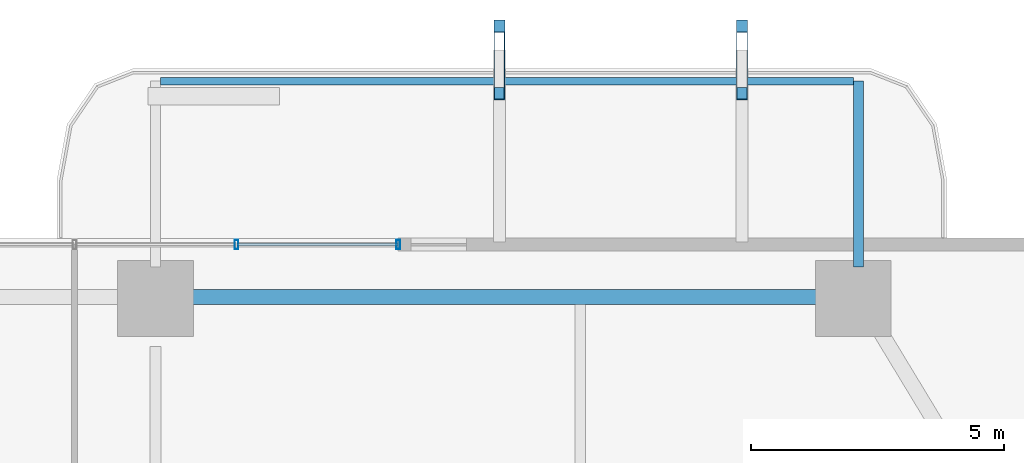
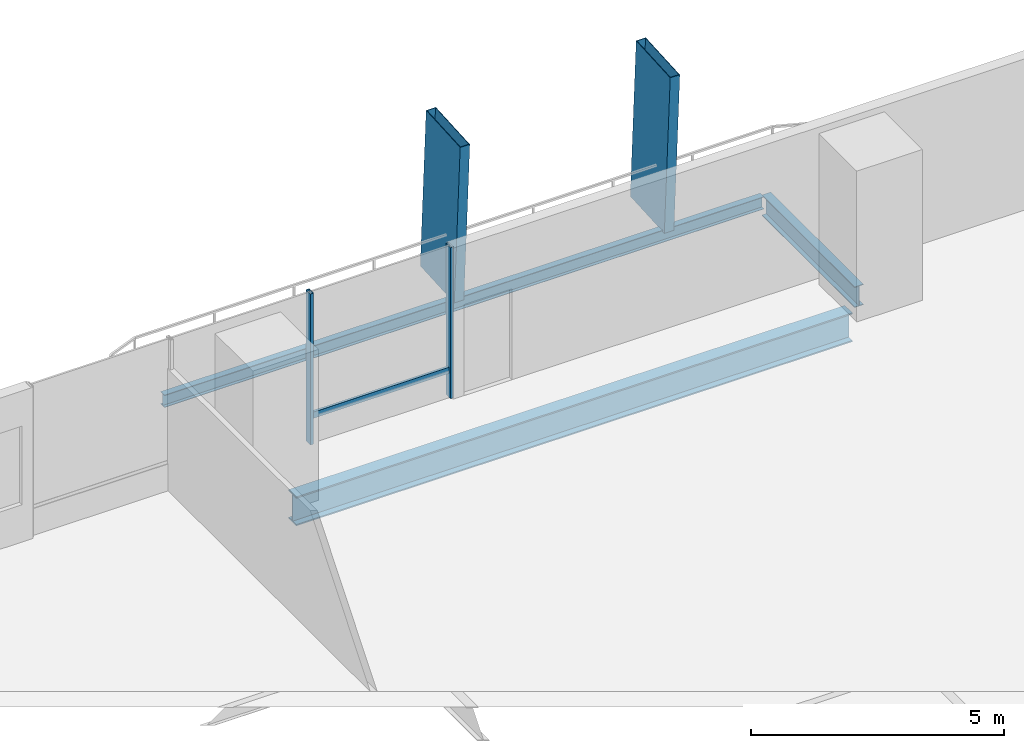
# One storey, part 21 of 30: 5 members, 3 beams, 1 element without a shape of its own.
"""IFC4 building model written with IfcOpenShell, lengths in metres."""

from ifc_helpers import new_model, si_unit, direction, frame, origin, origin_2d, place, context, subcontext, project, spatial, hollow_rectangle, i_section, extrude, material, layer, layer_set, material_profile, profile_set, type_object, element, aggregate, save


model = new_model("IFC4")

# Units and contexts
model_context = context("Model", 3, precision=1e-05, world=origin(), true_north=direction((0.0, 1.0)))
body_context = subcontext(model_context, "Body", "Model", "MODEL_VIEW")
ifc_project = project(units=[si_unit("LENGTHUNIT", "METRE"), si_unit("AREAUNIT", "SQUARE_METRE"), si_unit("VOLUMEUNIT", "CUBIC_METRE"), si_unit("PLANEANGLEUNIT", "RADIAN"), si_unit("MASSUNIT", "GRAM", prefix="KILO")], contexts=[model_context])

# Site, building, storey
site_placement = place(None, origin())
site = spatial("IfcSite", under=ifc_project, at=site_placement, CompositionType="ELEMENT")
building_placement = place(site_placement, origin())
building = spatial("IfcBuilding", under=site, at=building_placement, Name="Belovzor Exchange Tower", CompositionType="ELEMENT")
storey_placement = place(building_placement, frame((0.0, 0.0, 30.0)))
storey = spatial("IfcBuildingStorey", under=building, at=storey_placement, Name="L06", CompositionType="ELEMENT", Elevation=30.0)

# Members
ifc_material_1 = material(Name="Extruded Architectural Terracotta on Steel S355 Carrier", Category="masonry")
ifc_material_profile_1 = material_profile(ifc_material_1, hollow_rectangle(XDim=0.219970703125, YDim=1.35009765625, WallThickness=0.013916015625, at=origin_2d()))
ifc_profile_set_1 = profile_set([ifc_material_profile_1], Name="Extruded Architectural Terracotta on Steel S355 Carrier")
member_type_1 = type_object("IfcMemberType", Name="Base Arc Sweeping Terracotta Pylon Fin 1450", PredefinedType="USERDEFINED", material=ifc_profile_set_1)
for number, where, z_axis, x_axis, name in (
    (1, (35.60009765625, 60.3369140625, -0.25), (0.0, -0.059615826389, 0.998221394904), (1.0, 0.0, 0.0), "FIN-TC145 Terracotta Facade Fin L06 N3"),
    (2, (40.39990234375, 60.3369140625, -0.25), (0.0, -0.059615826389, 0.998221394904), (1.0, 0.0, 0.0), "FIN-TC145 Terracotta Facade Fin L06 N4"),
):
    element("IfcMember", number, at=place(storey_placement, frame(where, z_axis=z_axis, x_axis=x_axis)), inside=storey, type_object=member_type_1, Name=name, ObjectType="FIN", PredefinedType="USERDEFINED", context=body_context, shape_type="SweptSolid", body=[
        extrude(hollow_rectangle(XDim=0.219970703125, YDim=1.35009765625, WallThickness=0.013916015625, at=origin_2d()), origin(), (0.0, 0.0, 1.0), 3.90673828125),
    ])

# Beams
ifc_material_2 = material(Name="Steel S355", Category="steel")
ifc_material_profile_2 = material_profile(ifc_material_2, i_section(OverallWidth=0.199951171875, OverallDepth=0.5, WebThickness=0.01025390625, FlangeThickness=0.01611328125, at=origin_2d()))
ifc_profile_set_2 = profile_set([ifc_material_profile_2], Name="Steel S355")
beam_type_1 = type_object("IfcBeamType", Name="Planted Balcony Cantilever Beam IPE 500", PredefinedType="BEAM", material=ifc_profile_set_2)
beam_1_placement = place(storey_placement, frame((42.699951171875, 56.1298828125, -0.5), z_axis=(0.0, 1.0, 0.0), x_axis=(-1.0, 0.0, 0.0)))
element("IfcBeam", 3, at=beam_1_placement, inside=storey, type_object=beam_type_1, Name="BC-500 Planted Balcony Cantilever Beam IPE 500", PredefinedType="BEAM", context=body_context, shape_type="SweptSolid", body=[
    extrude(i_section(OverallWidth=0.199951171875, OverallDepth=0.5, WebThickness=0.01025390625, FlangeThickness=0.01611328125, at=origin_2d()), origin(), (0.0, 0.0, 1.0), 3.670166015625),
])
ifc_material_3 = material(Name="Steel S355", Category="steel")
ifc_material_profile_3 = material_profile(ifc_material_3, i_section(OverallWidth=0.14990234375, OverallDepth=0.300048828125, WebThickness=0.007080078125, FlangeThickness=0.0107421875, at=origin_2d()))
ifc_profile_set_3 = profile_set([ifc_material_profile_3], Name="Steel S355")
beam_type_2 = type_object("IfcBeamType", Name="Planted Balcony Fascia Edge Beam IPE 300", PredefinedType="BEAM", material=ifc_profile_set_3)
beam_2_placement = place(storey_placement, frame((42.60009765625, 59.800048828125, -0.39990234375), z_axis=(-1.0, 0.0, 0.0), x_axis=(0.0, -1.0, 0.0)))
element("IfcBeam", 4, at=beam_2_placement, inside=storey, type_object=beam_type_2, Name="BC-300 Planted Balcony Fascia Edge Beam IPE 300", PredefinedType="BEAM", context=body_context, shape_type="SweptSolid", body=[
    extrude(i_section(OverallWidth=0.14990234375, OverallDepth=0.300048828125, WebThickness=0.007080078125, FlangeThickness=0.0107421875, at=origin_2d()), origin(), (0.0, 0.0, 1.0), 13.7001953125),
])

# Curtain wall, members
ifc_material_4 = material(Name="Anodised Aluminium Framing", Category="aluminium")
ifc_layer = layer(ifc_material_4, 0.179931640625)
ifc_layer_set = layer_set([ifc_layer], Name="Anodised Aluminium Framing")
curtain_wall_type = type_object("IfcCurtainWallType", Name="Recessed Loggia Low-Iron Triple-Glazed Curtain Wall", PredefinedType="NOTDEFINED", material=ifc_layer_set)
curtain_wall_placement = place(storey_placement, origin())
curtain_wall = element("IfcCurtainWall", 5, at=curtain_wall_placement, inside=storey, type_object=curtain_wall_type, Name="CW3 Recessed Loggia Low-Iron Triple-Glazed Curtain Wall L06", PredefinedType="NOTDEFINED")
ifc_material_5 = material(Name="Steel S355", Category="steel")
ifc_material_profile_4 = material_profile(ifc_material_5, hollow_rectangle(XDim=0.074951171875, YDim=0.179931640625, WallThickness=0.0048828125, at=origin_2d()))
ifc_profile_set_4 = profile_set([ifc_material_profile_4], Name="Steel S355")
member_type_2 = type_object("IfcMemberType", Name="Thermally Broken Curtain Wall Mullion 180x75", PredefinedType="MULLION", material=ifc_profile_set_4)
member_1_placement = place(storey_placement, frame((30.39990234375, 56.570068359375, 0.0), z_axis=(0.0, 0.0, 1.0), x_axis=(1.0, 0.0, 0.0)))
member_1 = element("IfcMember", 6, at=member_1_placement, type_object=member_type_2, Name="CW-M180 Curtain Wall Mullion 3", PredefinedType="MULLION", context=body_context, shape_type="SweptSolid", body=[
    extrude(hollow_rectangle(XDim=0.074951171875, YDim=0.179931640625, WallThickness=0.0048828125, at=origin_2d()), origin(), (0.0, 0.0, 1.0), 3.64990234375),
])
member_2_placement = place(storey_placement, frame((33.60009765625, 56.570068359375, 0.0), z_axis=(0.0, 0.0, 1.0), x_axis=(1.0, 0.0, 0.0)))
member_2 = element("IfcMember", 7, at=member_2_placement, type_object=member_type_2, Name="CW-M180 Curtain Wall Mullion 4", PredefinedType="MULLION", context=body_context, shape_type="SweptSolid", body=[
    extrude(hollow_rectangle(XDim=0.074951171875, YDim=0.179931640625, WallThickness=0.0048828125, at=origin_2d()), origin(), (0.0, 0.0, 1.0), 3.64990234375),
])
ifc_material_6 = material(Name="Steel S355", Category="steel")
ifc_material_profile_5 = material_profile(ifc_material_6, hollow_rectangle(XDim=0.06005859375, YDim=0.14990234375, WallThickness=0.00390625, at=origin_2d()))
ifc_profile_set_5 = profile_set([ifc_material_profile_5], Name="Steel S355")
member_type_3 = type_object("IfcMemberType", Name="Thermally Broken Curtain Wall Transom 150x60", PredefinedType="USERDEFINED", material=ifc_profile_set_5)
member_3_placement = place(storey_placement, frame((30.407958984375, 56.570068359375, 0.64990234375), z_axis=(1.0, 0.0, 0.0), x_axis=(0.0, 1.0, 0.0)))
member_3 = element("IfcMember", 8, at=member_3_placement, type_object=member_type_3, Name="CW-T150 Curtain Wall Transom 3", ObjectType="TRANSOM", PredefinedType="USERDEFINED", context=body_context, shape_type="SweptSolid", body=[
    extrude(hollow_rectangle(XDim=0.06005859375, YDim=0.14990234375, WallThickness=0.00390625, at=origin_2d()), origin(), (0.0, 0.0, 1.0), 3.18408203125),
])
aggregate(curtain_wall, [member_1, member_2, member_3])

# Beam
ifc_material_7 = material(Name="Steel S355", Category="steel")
ifc_material_profile_6 = material_profile(ifc_material_7, i_section(OverallWidth=0.300048828125, OverallDepth=0.699951171875, WebThickness=0.01708984375, FlangeThickness=0.031982421875, at=origin_2d()))
ifc_profile_set_6 = profile_set([ifc_material_profile_6], Name="Steel S355")
beam_type_3 = type_object("IfcBeamType", Name="Zone 1 Primary Perimeter Girder HEB 700", PredefinedType="BEAM", material=ifc_profile_set_6)
beam_3_placement = place(storey_placement, frame((42.114990234375, 55.530029296875, -0.60009765625), z_axis=(-1.0, 0.0, 0.0), x_axis=(0.0, -1.0, 0.0)))
element("IfcBeam", 9, at=beam_3_placement, inside=storey, type_object=beam_type_3, Name="FG-Z1 Zone 1 Primary Perimeter Girder HEB 700", PredefinedType="BEAM", context=body_context, shape_type="SweptSolid", body=[
    extrude(i_section(OverallWidth=0.300048828125, OverallDepth=0.699951171875, WebThickness=0.01708984375, FlangeThickness=0.031982421875, at=origin_2d()), origin(), (0.0, 0.0, 1.0), 12.7099609375),
])

save(model, "model.ifc")
